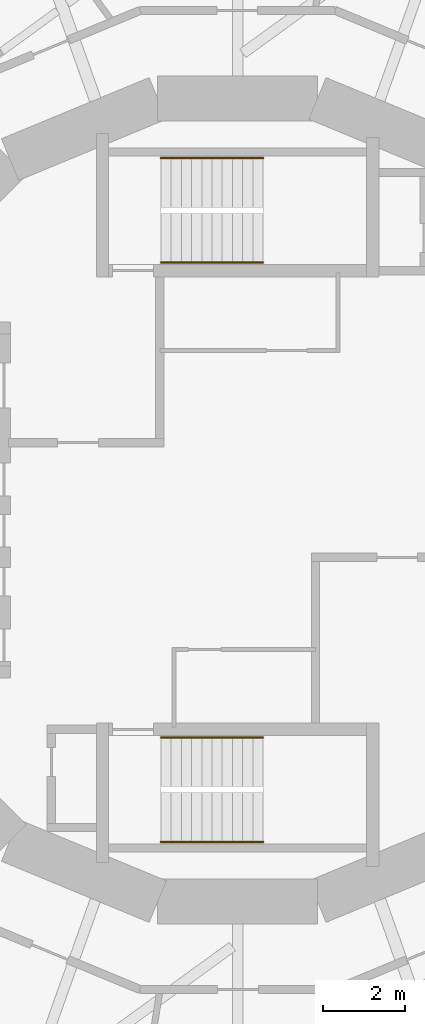
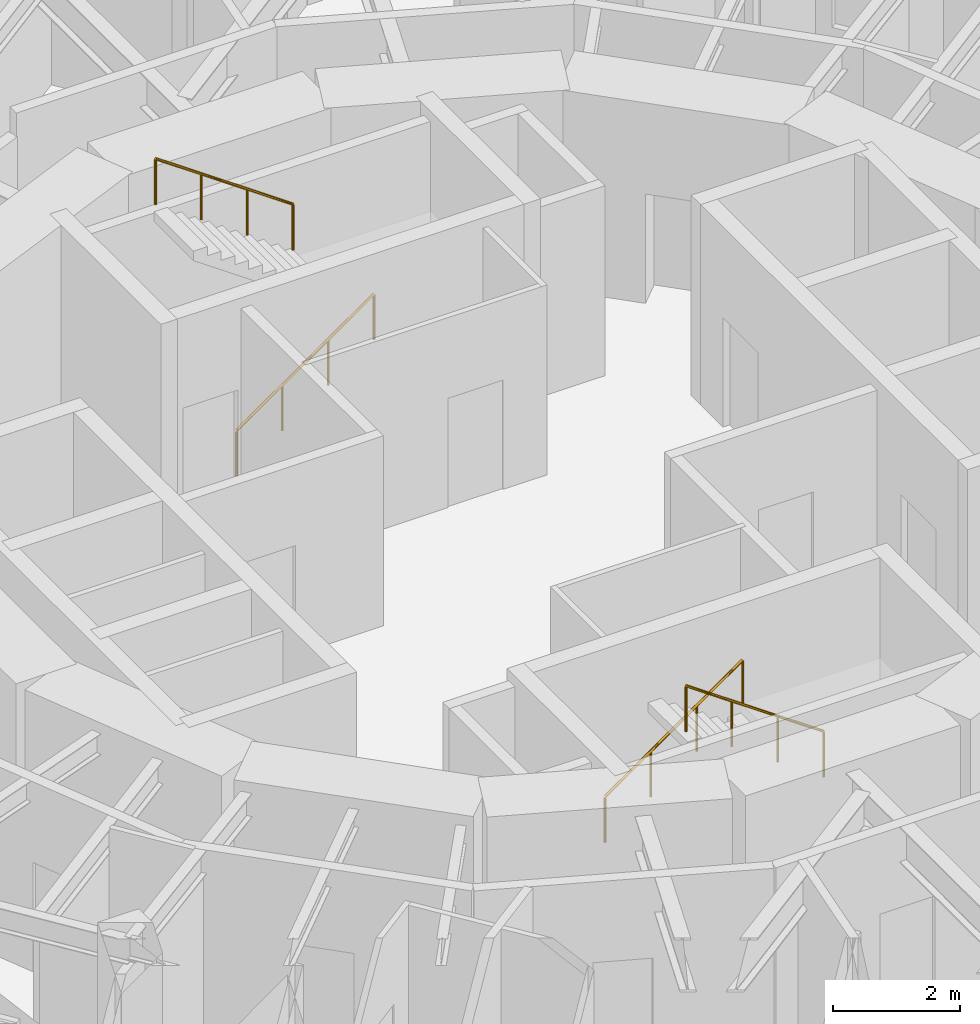
# One storey, part 9 of 9: 4 railings.
"""IFC4 building model written with IfcOpenShell, lengths in metres."""

from ifc_helpers import new_model, si_unit, direction, frame, origin, origin_2d, place, context, subcontext, project, spatial, circle, extrude, material, type_object, element, save


model = new_model("IFC4")

# Units and contexts
model_context = context("Model", 3, precision=1e-05, world=origin(), true_north=direction((0.0, 1.0)))
body_context = subcontext(model_context, "Body", "Model", "MODEL_VIEW")
ifc_project = project(units=[si_unit("LENGTHUNIT", "METRE"), si_unit("AREAUNIT", "SQUARE_METRE"), si_unit("VOLUMEUNIT", "CUBIC_METRE"), si_unit("PLANEANGLEUNIT", "RADIAN"), si_unit("MASSUNIT", "GRAM", prefix="KILO")], contexts=[model_context])

# Site, building, storey
site_placement = place(None, origin())
site = spatial("IfcSite", under=ifc_project, at=site_placement, CompositionType="ELEMENT")
building_placement = place(site_placement, origin())
building = spatial("IfcBuilding", under=site, at=building_placement, Name="Nakasero Lantern House", CompositionType="ELEMENT")
storey_placement = place(building_placement, frame((0.0, 0.0, 290.699951171875)))
storey = spatial("IfcBuildingStorey", under=building, at=storey_placement, Name="L71", CompositionType="ELEMENT", Elevation=290.699951171875)

# Railings
ifc_material = material(Name="Stainless steel 316", Category="steel")
railing_type = type_object("IfcRailingType", Name="Stair handrail 900", PredefinedType="HANDRAIL", material=ifc_material)
railing_1_placement = place(storey_placement, frame((-1.875, 5.800048828125, 0.175048828125)))
element("IfcRailing", 1, at=railing_1_placement, inside=storey, type_object=railing_type, Name="Handrail ST1 L71 flight 1", PredefinedType="HANDRAIL", context=body_context, shape_type="SweptSolid", body=[
    extrude(circle(Radius=0.02392578125, at=origin_2d()), frame((0.0, 0.0, 0.8759765625), z_axis=(0.819231920519, 0.0, 0.573462344363), x_axis=(0.0, 1.0, 0.0)), (0.0, 0.0, 1.0), 3.0517578125),
    extrude(circle(Radius=0.02099609375, at=origin_2d()), origin(), (0.0, 0.0, 1.0), 0.851806640625),
    extrude(circle(Radius=0.02099609375, at=origin_2d()), frame((0.833251953125, 0.0, 0.583251953125)), (0.0, 0.0, 1.0), 0.851806640625),
    extrude(circle(Radius=0.02099609375, at=origin_2d()), frame((1.666748046875, 0.0, 1.166748046875)), (0.0, 0.0, 1.0), 0.851806640625),
    extrude(circle(Radius=0.02099609375, at=origin_2d()), frame((2.5, 0.0, 1.75)), (0.0, 0.0, 1.0), 0.851806640625),
])
railing_2_placement = place(storey_placement, frame((0.625, 8.35009765625, 2.10009765625)))
element("IfcRailing", 2, at=railing_2_placement, inside=storey, type_object=railing_type, Name="Handrail ST1 L71 flight 2", PredefinedType="HANDRAIL", context=body_context, shape_type="SweptSolid", body=[
    extrude(circle(Radius=0.02392578125, at=origin_2d()), frame((0.0, 0.0, 0.8759765625), z_axis=(-0.819231920519, 0.0, 0.573462344363), x_axis=(0.0, -1.0, 0.0)), (0.0, 0.0, 1.0), 3.0517578125),
    extrude(circle(Radius=0.02099609375, at=origin_2d()), origin(), (0.0, 0.0, 1.0), 0.851806640625),
    extrude(circle(Radius=0.02099609375, at=origin_2d()), frame((-0.833251953125, 0.0, 0.583251953125)), (0.0, 0.0, 1.0), 0.851806640625),
    extrude(circle(Radius=0.02099609375, at=origin_2d()), frame((-1.666748046875, 0.0, 1.166748046875)), (0.0, 0.0, 1.0), 0.851806640625),
    extrude(circle(Radius=0.02099609375, at=origin_2d()), frame((-2.5, 0.0, 1.75)), (0.0, 0.0, 1.0), 0.851806640625),
])
railing_3_placement = place(storey_placement, frame((-1.875, -5.800048828125, 0.175048828125)))
element("IfcRailing", 3, at=railing_3_placement, inside=storey, type_object=railing_type, Name="Handrail ST2 L71 flight 1", PredefinedType="HANDRAIL", context=body_context, shape_type="SweptSolid", body=[
    extrude(circle(Radius=0.02392578125, at=origin_2d()), frame((0.0, 0.0, 0.8759765625), z_axis=(0.819231920519, 0.0, 0.573462344363), x_axis=(0.0, 1.0, 0.0)), (0.0, 0.0, 1.0), 3.0517578125),
    extrude(circle(Radius=0.02099609375, at=origin_2d()), origin(), (0.0, 0.0, 1.0), 0.851806640625),
    extrude(circle(Radius=0.02099609375, at=origin_2d()), frame((0.833251953125, 0.0, 0.583251953125)), (0.0, 0.0, 1.0), 0.851806640625),
    extrude(circle(Radius=0.02099609375, at=origin_2d()), frame((1.666748046875, 0.0, 1.166748046875)), (0.0, 0.0, 1.0), 0.851806640625),
    extrude(circle(Radius=0.02099609375, at=origin_2d()), frame((2.5, 0.0, 1.75)), (0.0, 0.0, 1.0), 0.851806640625),
])
railing_4_placement = place(storey_placement, frame((0.625, -8.35009765625, 2.10009765625)))
element("IfcRailing", 4, at=railing_4_placement, inside=storey, type_object=railing_type, Name="Handrail ST2 L71 flight 2", PredefinedType="HANDRAIL", context=body_context, shape_type="SweptSolid", body=[
    extrude(circle(Radius=0.02392578125, at=origin_2d()), frame((0.0, 0.0, 0.8759765625), z_axis=(-0.819231920519, 0.0, 0.573462344363), x_axis=(0.0, -1.0, 0.0)), (0.0, 0.0, 1.0), 3.0517578125),
    extrude(circle(Radius=0.02099609375, at=origin_2d()), origin(), (0.0, 0.0, 1.0), 0.851806640625),
    extrude(circle(Radius=0.02099609375, at=origin_2d()), frame((-0.833251953125, 0.0, 0.583251953125)), (0.0, 0.0, 1.0), 0.851806640625),
    extrude(circle(Radius=0.02099609375, at=origin_2d()), frame((-1.666748046875, 0.0, 1.166748046875)), (0.0, 0.0, 1.0), 0.851806640625),
    extrude(circle(Radius=0.02099609375, at=origin_2d()), frame((-2.5, 0.0, 1.75)), (0.0, 0.0, 1.0), 0.851806640625),
])

save(model, "model.ifc")
